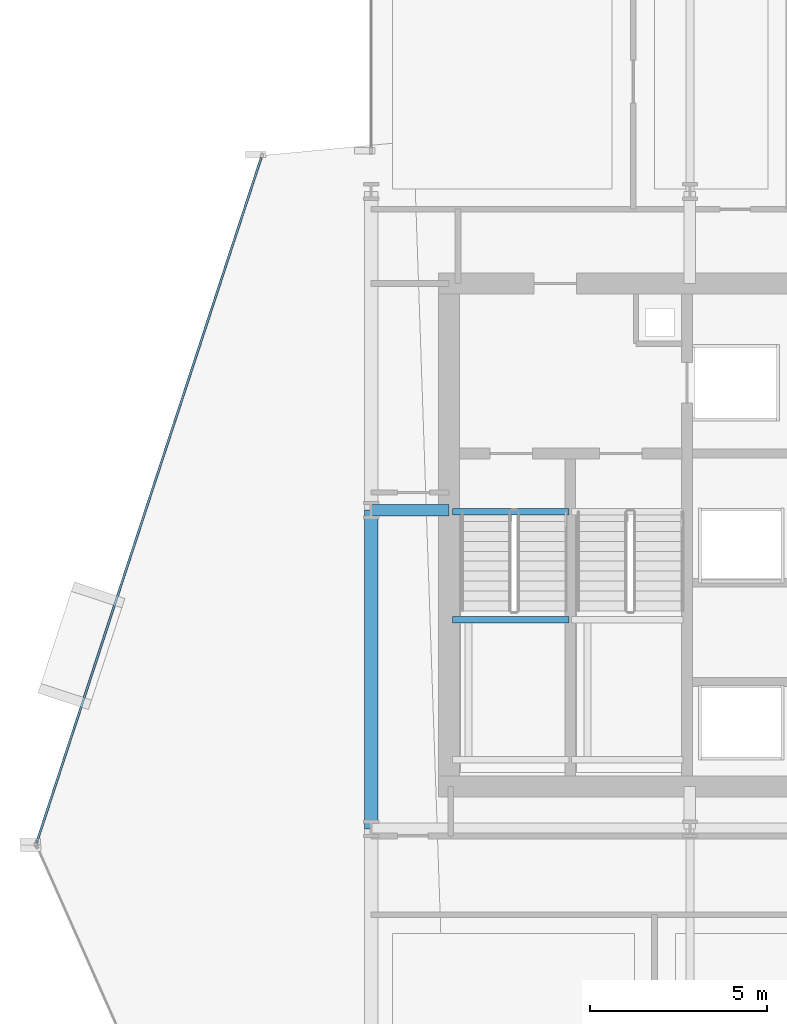
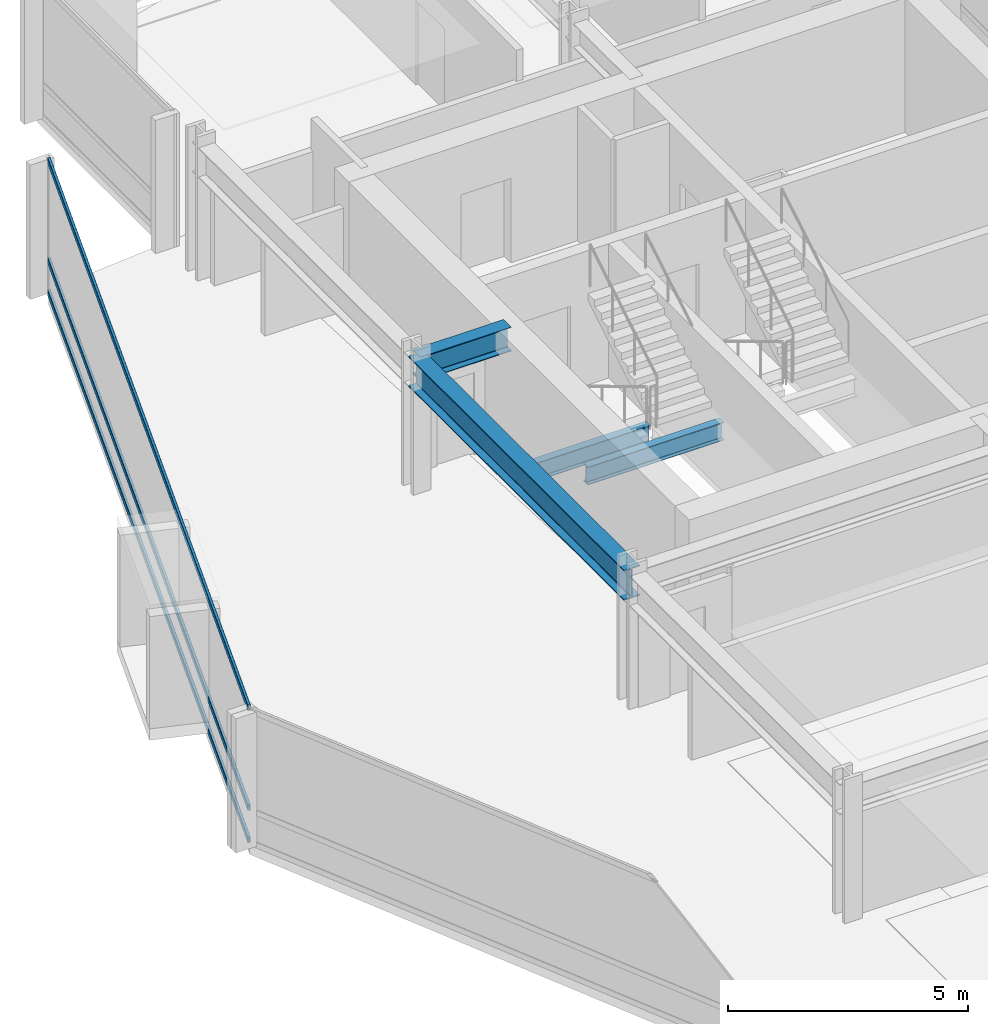
# One storey, part 18 of 34: 4 beams, 3 members, 1 element without a shape of its own.
"""IFC4 building model written with IfcOpenShell, lengths in metres."""

from ifc_helpers import new_model, si_unit, direction, frame, origin, origin_2d, place, context, subcontext, project, spatial, hollow_rectangle, i_section, extrude, material, layer, layer_set, material_profile, profile_set, type_object, element, aggregate, save


model = new_model("IFC4")

# Units and contexts
model_context = context("Model", 3, precision=1e-05, world=origin(), true_north=direction((0.0, 1.0)))
body_context = subcontext(model_context, "Body", "Model", "MODEL_VIEW")
ifc_project = project(units=[si_unit("LENGTHUNIT", "METRE"), si_unit("AREAUNIT", "SQUARE_METRE"), si_unit("VOLUMEUNIT", "CUBIC_METRE"), si_unit("PLANEANGLEUNIT", "RADIAN"), si_unit("MASSUNIT", "GRAM", prefix="KILO")], contexts=[model_context])

# Site, building, storey
site_placement = place(None, origin())
site = spatial("IfcSite", under=ifc_project, at=site_placement, CompositionType="ELEMENT")
building_placement = place(site_placement, origin())
building = spatial("IfcBuilding", under=site, at=building_placement, Name="Solvaryn Broadcast Tower", CompositionType="ELEMENT")
storey_placement = place(building_placement, frame((0.0, 0.0, 54.5)))
storey = spatial("IfcBuildingStorey", under=building, at=storey_placement, Name="L12", CompositionType="ELEMENT", Elevation=54.5)

# Beams
ifc_material_1 = material(Name="Steel ASTM A992 Grade 50", Category="steel")
ifc_material_profile_1 = material_profile(ifc_material_1, i_section(OverallWidth=0.323974609375, OverallDepth=0.611083984375, WebThickness=0.0126953125, FlangeThickness=0.01904296875, FilletRadius=0.014892578125, at=origin_2d()))
ifc_profile_set_1 = profile_set([ifc_material_profile_1], Name="Steel ASTM A992 Grade 50")
beam_type_1 = type_object("IfcBeamType", Name="BM-B1-W24X104", PredefinedType="BEAM", material=ifc_profile_set_1)
beam_1_placement = place(storey_placement, frame((9.0, 36.0, 3.114501953125), z_axis=(1.0, 0.0, 0.0), x_axis=(0.0, 1.0, 0.0)))
element("IfcBeam", 1, at=beam_1_placement, inside=storey, type_object=beam_type_1, Name="L12 Core Tie Beam CTW1", PredefinedType="BEAM", context=body_context, shape_type="SweptSolid", body=[
    extrude(i_section(OverallWidth=0.323974609375, OverallDepth=0.611083984375, WebThickness=0.0126953125, FlangeThickness=0.01904296875, FilletRadius=0.014892578125, at=origin_2d()), origin(), (0.0, 0.0, 1.0), 2.199951171875),
])
ifc_material_2 = material(Name="Steel ASTM A992 Grade 50", Category="steel")
ifc_material_profile_2 = material_profile(ifc_material_2, i_section(OverallWidth=0.18994140625, OverallDepth=0.45703125, WebThickness=0.009033203125, FlangeThickness=0.014404296875, FilletRadius=0.011962890625, at=origin_2d()))
ifc_profile_set_2 = profile_set([ifc_material_profile_2], Name="Steel ASTM A992 Grade 50")
beam_type_2 = type_object("IfcBeamType", Name="BM-B4-W18X50", PredefinedType="BEAM", material=ifc_profile_set_2)
for number, where, z_axis, x_axis, name in (
    (2, (11.300048828125, 35.9599609375, -0.508544921875), (1.0, 0.0, 0.0), (0.0, 1.0, 0.0), "L12 ST1 Stair Well Trimmer Beam"),
    (3, (11.300048828125, 32.909912109375, 1.42138671875), (1.0, 0.0, 0.0), (0.0, 1.0, 0.0), "L12 ST1 Landing Support Beam 1B"),
):
    element("IfcBeam", number, at=place(storey_placement, frame(where, z_axis=z_axis, x_axis=x_axis)), inside=storey, type_object=beam_type_2, Name=name, PredefinedType="BEAM", context=body_context, shape_type="SweptSolid", body=[
        extrude(i_section(OverallWidth=0.18994140625, OverallDepth=0.45703125, WebThickness=0.009033203125, FlangeThickness=0.014404296875, FilletRadius=0.011962890625, at=origin_2d()), origin(), (0.0, 0.0, 1.0), 3.280029296875),
    ])
ifc_material_3 = material(Name="Steel ASTM A992 Grade 50", Category="steel")
ifc_material_profile_3 = material_profile(ifc_material_3, i_section(OverallWidth=0.381103515625, OverallDepth=0.77294921875, WebThickness=0.0166015625, FlangeThickness=0.027099609375, FilletRadius=0.01806640625, at=origin_2d()))
ifc_profile_set_3 = profile_set([ifc_material_profile_3], Name="Steel ASTM A992 Grade 50")
beam_type_3 = type_object("IfcBeamType", Name="BM-SP1-W30X173", PredefinedType="USERDEFINED", material=ifc_profile_set_3)
beam_2_placement = place(storey_placement, frame((9.0, 27.0, 3.033447265625), z_axis=(0.0, 1.0, 0.0), x_axis=(-1.0, 0.0, 0.0)))
element("IfcBeam", 4, at=beam_2_placement, inside=storey, type_object=beam_type_3, Name="L12 Spandrel Beam Y (27-36 @ X=9)", ObjectType="SPANDREL", PredefinedType="USERDEFINED", context=body_context, shape_type="SweptSolid", body=[
    extrude(i_section(OverallWidth=0.381103515625, OverallDepth=0.77294921875, WebThickness=0.0166015625, FlangeThickness=0.027099609375, FilletRadius=0.01806640625, at=origin_2d()), origin(), (0.0, 0.0, 1.0), 9.0),
])

# Curtain wall, members
ifc_material_4 = material(Name="Aluminium and Terracotta Unitised Curtain Wall", Category="masonry")
ifc_layer = layer(ifc_material_4, 0.199951171875)
ifc_layer_set = layer_set([ifc_layer], Name="CW-SYS2-LOWMID")
curtain_wall_type = type_object("IfcCurtainWallType", Name="CW-SYS2-LOWMID", PredefinedType="NOTDEFINED", material=ifc_layer_set)
curtain_wall_placement = place(storey_placement, origin())
curtain_wall = element("IfcCurtainWall", 5, at=curtain_wall_placement, inside=storey, type_object=curtain_wall_type, Name="L12 Curtain Wall DR1", PredefinedType="NOTDEFINED")
ifc_material_5 = material(Name="Anodised Aluminium 6063-T6", Category="aluminium")
ifc_material_profile_4 = material_profile(ifc_material_5, hollow_rectangle(XDim=0.06494140625, YDim=0.14990234375, WallThickness=0.00390625, InnerFilletRadius=0.00390625, OuterFilletRadius=0.008056640625, at=origin_2d()))
ifc_profile_set_4 = profile_set([ifc_material_profile_4], Name="Anodised Aluminium 6063-T6")
member_type = type_object("IfcMemberType", Name="CW-TRN-150", PredefinedType="USERDEFINED", material=ifc_profile_set_4)
member_1_placement = place(storey_placement, frame((5.897216796875, 45.958984375, 0.030029296875), z_axis=(-0.311589549406, -0.950216792475, 0.0), x_axis=(0.950216792475, -0.311589549406, 0.0)))
member_1 = element("IfcMember", 6, at=member_1_placement, type_object=member_type, Name="CWS2 transom 1.1", ObjectType="TRANSOM", PredefinedType="USERDEFINED", context=body_context, shape_type="SweptSolid", body=[
    extrude(hollow_rectangle(XDim=0.06494140625, YDim=0.14990234375, WallThickness=0.00390625, InnerFilletRadius=0.00390625, OuterFilletRadius=0.008056640625, at=origin_2d()), origin(), (0.0, 0.0, 1.0), 20.35546875),
])
member_2_placement = place(storey_placement, frame((5.897216796875, 45.958984375, 0.85009765625), z_axis=(-0.311589549406, -0.950216792475, 0.0), x_axis=(0.950216792475, -0.311589549406, 0.0)))
member_2 = element("IfcMember", 7, at=member_2_placement, type_object=member_type, Name="CWS2 transom 1.2", ObjectType="TRANSOM", PredefinedType="USERDEFINED", context=body_context, shape_type="SweptSolid", body=[
    extrude(hollow_rectangle(XDim=0.06494140625, YDim=0.14990234375, WallThickness=0.00390625, InnerFilletRadius=0.00390625, OuterFilletRadius=0.008056640625, at=origin_2d()), origin(), (0.0, 0.0, 1.0), 20.35546875),
])
member_3_placement = place(storey_placement, frame((5.897216796875, 45.958984375, 3.389892578125), z_axis=(-0.311589549406, -0.950216792475, 0.0), x_axis=(0.950216792475, -0.311589549406, 0.0)))
member_3 = element("IfcMember", 8, at=member_3_placement, type_object=member_type, Name="CWS2 transom 1.3", ObjectType="TRANSOM", PredefinedType="USERDEFINED", context=body_context, shape_type="SweptSolid", body=[
    extrude(hollow_rectangle(XDim=0.06494140625, YDim=0.14990234375, WallThickness=0.00390625, InnerFilletRadius=0.00390625, OuterFilletRadius=0.008056640625, at=origin_2d()), origin(), (0.0, 0.0, 1.0), 20.35546875),
])
aggregate(curtain_wall, [member_1, member_2, member_3])

save(model, "model.ifc")
